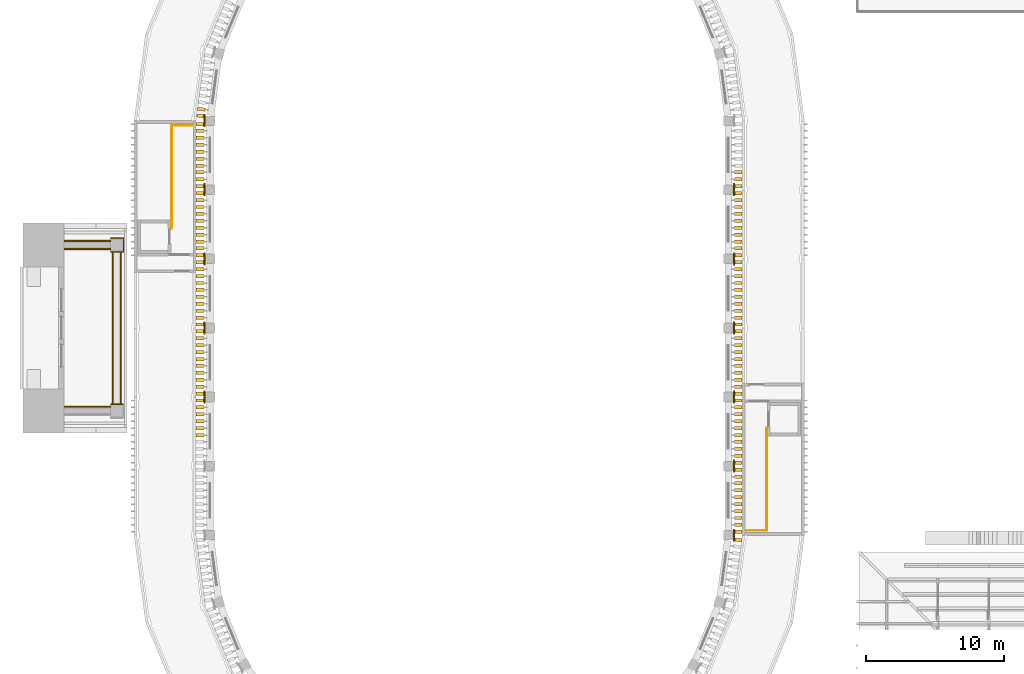
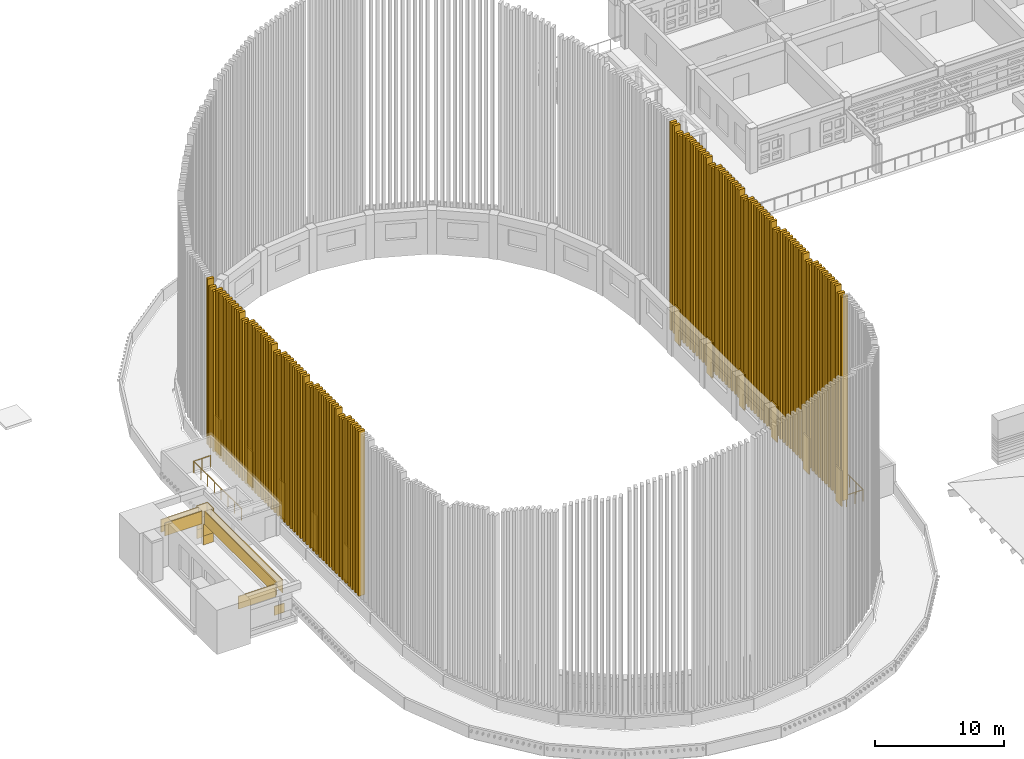
# One storey, part 54 of 68: 123 coverings, 4 railings.
"""IFC4 building model written with IfcOpenShell, lengths in metres."""

from ifc_helpers import new_model, si_unit, direction, frame, origin, origin_2d, place, context, subcontext, project, spatial, polyline, rectangle, circle, outline, extrude, material, layer, layer_set, type_object, element, save


model = new_model("IFC4")

# Units and contexts
model_context = context("Model", 3, precision=1e-05, world=origin(), true_north=direction((0.0, 1.0)))
body_context = subcontext(model_context, "Body", "Model", "MODEL_VIEW")
ifc_project = project(units=[si_unit("LENGTHUNIT", "METRE"), si_unit("AREAUNIT", "SQUARE_METRE"), si_unit("VOLUMEUNIT", "CUBIC_METRE"), si_unit("PLANEANGLEUNIT", "RADIAN"), si_unit("MASSUNIT", "GRAM", prefix="KILO")], contexts=[model_context])

# Site, building, storey
site_placement = place(None, origin())
site = spatial("IfcSite", under=ifc_project, at=site_placement, CompositionType="ELEMENT")
building_placement = place(site_placement, origin())
building = spatial("IfcBuilding", under=site, at=building_placement, Name="Wasatch Bagh Community Centre", CompositionType="ELEMENT")
storey_placement = place(building_placement, frame((0.0, 0.0, 8.39990234375)))
storey = spatial("IfcBuildingStorey", under=building, at=storey_placement, Name="L02", CompositionType="ELEMENT", Elevation=8.39990234375)

# Coverings
ifc_material_1 = material(Name="Cast stone cladding", Category="masonry")
ifc_layer_1 = layer(ifc_material_1, 0.080078125)
ifc_layer_set_1 = layer_set([ifc_layer_1], Name="Cast stone cladding")
covering_type_1 = type_object("IfcCoveringType", Name="CL-B7 beam facing", PredefinedType="CLADDING", material=ifc_layer_set_1)
covering_1_placement = place(storey_placement, frame((0.0, 0.0, 2.150146484375)))
element("IfcCovering", 1, at=covering_1_placement, inside=storey, type_object=covering_type_1, Name="Beam facing", PredefinedType="CLADDING", context=body_context, shape_type="SweptSolid", body=[
    extrude(outline(polyline([(6.699951171875, 44.25), (10.050048828125, 44.25), (10.050048828125, 44.330078125), (6.699951171875, 44.330078125), (6.699951171875, 44.25)])), origin(), (0.0, 0.0, 1.0), 1.199951171875),
])
covering_2_placement = place(storey_placement, frame((0.0, 0.0, 2.150146484375)))
element("IfcCovering", 2, at=covering_2_placement, inside=storey, type_object=covering_type_1, Name="Beam facing", PredefinedType="CLADDING", context=body_context, shape_type="SweptSolid", body=[
    extrude(outline(polyline([(6.699951171875, 56.25), (10.050048828125, 56.25), (10.050048828125, 56.330078125), (6.699951171875, 56.330078125), (6.699951171875, 56.25)])), origin(), (0.0, 0.0, 1.0), 1.199951171875),
])
covering_3_placement = place(storey_placement, frame((0.0, 0.0, 2.150146484375)))
element("IfcCovering", 3, at=covering_3_placement, inside=storey, type_object=covering_type_1, Name="Beam facing", PredefinedType="CLADDING", context=body_context, shape_type="SweptSolid", body=[
    extrude(outline(polyline([(6.699951171875, 55.75), (10.050048828125, 55.75), (10.050048828125, 55.669921875), (6.699951171875, 55.669921875), (6.699951171875, 55.75)])), origin(), (0.0, 0.0, 1.0), 1.199951171875),
])
covering_4_placement = place(storey_placement, frame((0.0, 0.0, 2.150146484375)))
element("IfcCovering", 4, at=covering_4_placement, inside=storey, type_object=covering_type_1, Name="Beam facing", PredefinedType="CLADDING", context=body_context, shape_type="SweptSolid", body=[
    extrude(outline(polyline([(10.25, 44.449951171875), (10.25, 55.550048828125), (10.169921875, 55.550048828125), (10.169921875, 44.449951171875), (10.25, 44.449951171875)])), origin(), (0.0, 0.0, 1.0), 1.199951171875),
])
covering_5_placement = place(storey_placement, frame((0.0, 0.0, 2.150146484375)))
element("IfcCovering", 5, at=covering_5_placement, inside=storey, type_object=covering_type_1, Name="Beam facing", PredefinedType="CLADDING", context=body_context, shape_type="SweptSolid", body=[
    extrude(outline(polyline([(10.75, 44.449951171875), (10.75, 55.550048828125), (10.830078125, 55.550048828125), (10.830078125, 44.449951171875), (10.75, 44.449951171875)])), origin(), (0.0, 0.0, 1.0), 1.199951171875),
])
ifc_layer_2 = layer(ifc_material_1, 0.080078125)
ifc_layer_set_2 = layer_set([ifc_layer_2], Name="Cast stone cladding")
covering_type_2 = type_object("IfcCoveringType", Name="CL-C1 column facing", PredefinedType="CLADDING", material=ifc_layer_set_2)
covering_6_placement = place(storey_placement, frame((0.0, 0.0, 0.25)))
element("IfcCovering", 6, at=covering_6_placement, inside=storey, type_object=covering_type_2, Name="Column facing", PredefinedType="CLADDING", context=body_context, shape_type="SweptSolid", body=[
    extrude(outline(polyline([(10.050048828125, 44.449951171875), (10.050048828125, 44.530029296875), (10.949951171875, 44.530029296875), (10.949951171875, 44.449951171875), (10.050048828125, 44.449951171875)])), origin(), (0.0, 0.0, 1.0), 0.85009765625),
])
covering_7_placement = place(storey_placement, frame((0.0, 0.0, 0.25)))
element("IfcCovering", 7, at=covering_7_placement, inside=storey, type_object=covering_type_2, Name="Column facing", PredefinedType="CLADDING", context=body_context, shape_type="SweptSolid", body=[
    extrude(outline(polyline([(10.050048828125, 56.449951171875), (10.050048828125, 56.530029296875), (10.949951171875, 56.530029296875), (10.949951171875, 56.449951171875), (10.050048828125, 56.449951171875)])), origin(), (0.0, 0.0, 1.0), 0.85009765625),
])
covering_8_placement = place(storey_placement, frame((0.0, 0.0, 0.25)))
element("IfcCovering", 8, at=covering_8_placement, inside=storey, type_object=covering_type_2, Name="Column facing", PredefinedType="CLADDING", context=body_context, shape_type="SweptSolid", body=[
    extrude(outline(polyline([(10.949951171875, 55.550048828125), (10.949951171875, 55.469970703125), (10.050048828125, 55.469970703125), (10.050048828125, 55.550048828125), (10.949951171875, 55.550048828125)])), origin(), (0.0, 0.0, 1.0), 0.85009765625),
])
covering_9_placement = place(storey_placement, frame((0.0, 0.0, 1.10009765625)))
element("IfcCovering", 9, at=covering_9_placement, inside=storey, type_object=covering_type_2, Name="Column facing", PredefinedType="CLADDING", context=body_context, shape_type="SweptSolid", body=[
    extrude(outline(polyline([(11.030029296875, 55.469970703125), (10.050048828125, 55.469970703125), (10.050048828125, 55.550048828125), (10.949951171875, 55.550048828125), (10.949951171875, 56.449951171875), (10.050048828125, 56.449951171875), (10.050048828125, 56.530029296875), (11.030029296875, 56.530029296875), (11.030029296875, 55.469970703125)])), origin(), (0.0, 0.0, 1.0), 1.050048828125),
])
covering_10_placement = place(storey_placement, frame((0.0, 0.0, 2.150146484375)))
element("IfcCovering", 10, at=covering_10_placement, inside=storey, type_object=covering_type_2, Name="Column facing", PredefinedType="CLADDING", context=body_context, shape_type="SweptSolid", body=[
    extrude(outline(polyline([(10.949951171875, 56.449951171875), (10.050048828125, 56.449951171875), (10.050048828125, 56.530029296875), (11.030029296875, 56.530029296875), (11.030029296875, 55.550048828125), (10.949951171875, 55.550048828125), (10.949951171875, 56.449951171875)])), origin(), (0.0, 0.0, 1.0), 1.199951171875),
])

# Railings
ifc_material_2 = material(Name="ASTM A500 Grade C steel", Category="steel")
railing_type = type_object("IfcRailingType", Name="Drum guard 1100", PredefinedType="GUARDRAIL", material=ifc_material_2)
railing_1_placement = place(storey_placement, frame((57.52490234375, 35.39990234375, 0.0)))
element("IfcRailing", 11, at=railing_1_placement, inside=storey, type_object=railing_type, Name="Opening guard SE0", PredefinedType="GUARDRAIL", context=body_context, shape_type="SweptSolid", body=[
    extrude(circle(Radius=0.02392578125, at=origin_2d()), frame((0.0, 0.0, 1.076171875), z_axis=(0.0, 1.0, 0.0), x_axis=(-1.0, 0.0, 0.0)), (0.0, 0.0, 1.0), 7.360107421875),
    extrude(circle(Radius=0.02099609375, at=origin_2d()), origin(), (0.0, 0.0, 1.0), 1.052001953125),
    extrude(circle(Radius=0.02099609375, at=origin_2d()), frame((0.0, 1.051513671875, 0.0)), (0.0, 0.0, 1.0), 1.052001953125),
    extrude(circle(Radius=0.02099609375, at=origin_2d()), frame((0.0, 2.102783203125, 0.0)), (0.0, 0.0, 1.0), 1.052001953125),
    extrude(circle(Radius=0.02099609375, at=origin_2d()), frame((0.0, 3.154296875, 0.0)), (0.0, 0.0, 1.0), 1.052001953125),
    extrude(circle(Radius=0.02099609375, at=origin_2d()), frame((0.0, 4.205810546875, 0.0)), (0.0, 0.0, 1.0), 1.052001953125),
    extrude(circle(Radius=0.02099609375, at=origin_2d()), frame((0.0, 5.25732421875, 0.0)), (0.0, 0.0, 1.0), 1.052001953125),
    extrude(circle(Radius=0.02099609375, at=origin_2d()), frame((0.0, 6.30859375, 0.0)), (0.0, 0.0, 1.0), 1.052001953125),
    extrude(circle(Radius=0.02099609375, at=origin_2d()), frame((0.0, 7.360107421875, 0.0)), (0.0, 0.0, 1.0), 1.052001953125),
])
railing_2_placement = place(storey_placement, frame((56.02490234375, 35.35009765625, 0.0)))
element("IfcRailing", 12, at=railing_2_placement, inside=storey, type_object=railing_type, Name="Opening guard SE0 end", PredefinedType="GUARDRAIL", context=body_context, shape_type="SweptSolid", body=[
    extrude(circle(Radius=0.02392578125, at=origin_2d()), frame((0.0, 0.0, 1.076171875), z_axis=(1.0, 0.0, 0.0), x_axis=(0.0, 1.0, 0.0)), (0.0, 0.0, 1.0), 1.5),
    extrude(circle(Radius=0.02099609375, at=origin_2d()), origin(), (0.0, 0.0, 1.0), 1.052001953125),
    extrude(circle(Radius=0.02099609375, at=origin_2d()), frame((0.75, 0.0, 0.0)), (0.0, 0.0, 1.0), 1.052001953125),
    extrude(circle(Radius=0.02099609375, at=origin_2d()), frame((1.5, 0.0, 0.0)), (0.0, 0.0, 1.0), 1.052001953125),
])
railing_3_placement = place(storey_placement, frame((14.47509765625, 64.60009765625, 0.0)))
element("IfcRailing", 13, at=railing_3_placement, inside=storey, type_object=railing_type, Name="Opening guard NW0", PredefinedType="GUARDRAIL", context=body_context, shape_type="SweptSolid", body=[
    extrude(circle(Radius=0.02392578125, at=origin_2d()), frame((0.0, 0.0, 1.076171875), z_axis=(0.0, -1.0, 0.0), x_axis=(1.0, 0.0, 0.0)), (0.0, 0.0, 1.0), 7.360107421875),
    extrude(circle(Radius=0.02099609375, at=origin_2d()), origin(), (0.0, 0.0, 1.0), 1.052001953125),
    extrude(circle(Radius=0.02099609375, at=origin_2d()), frame((0.0, -1.051513671875, 0.0)), (0.0, 0.0, 1.0), 1.052001953125),
    extrude(circle(Radius=0.02099609375, at=origin_2d()), frame((0.0, -2.102783203125, 0.0)), (0.0, 0.0, 1.0), 1.052001953125),
    extrude(circle(Radius=0.02099609375, at=origin_2d()), frame((0.0, -3.154296875, 0.0)), (0.0, 0.0, 1.0), 1.052001953125),
    extrude(circle(Radius=0.02099609375, at=origin_2d()), frame((0.0, -4.205810546875, 0.0)), (0.0, 0.0, 1.0), 1.052001953125),
    extrude(circle(Radius=0.02099609375, at=origin_2d()), frame((0.0, -5.25732421875, 0.0)), (0.0, 0.0, 1.0), 1.052001953125),
    extrude(circle(Radius=0.02099609375, at=origin_2d()), frame((0.0, -6.30859375, 0.0)), (0.0, 0.0, 1.0), 1.052001953125),
    extrude(circle(Radius=0.02099609375, at=origin_2d()), frame((0.0, -7.360107421875, 0.0)), (0.0, 0.0, 1.0), 1.052001953125),
])
railing_4_placement = place(storey_placement, frame((15.97509765625, 64.64990234375, 0.0)))
element("IfcRailing", 14, at=railing_4_placement, inside=storey, type_object=railing_type, Name="Opening guard NW0 end", PredefinedType="GUARDRAIL", context=body_context, shape_type="SweptSolid", body=[
    extrude(circle(Radius=0.02392578125, at=origin_2d()), frame((0.0, 0.0, 1.076171875), z_axis=(-1.0, 0.0, 0.0), x_axis=(0.0, -1.0, 0.0)), (0.0, 0.0, 1.0), 1.5),
    extrude(circle(Radius=0.02099609375, at=origin_2d()), origin(), (0.0, 0.0, 1.0), 1.052001953125),
    extrude(circle(Radius=0.02099609375, at=origin_2d()), frame((-0.75, 0.0, 0.0)), (0.0, 0.0, 1.0), 1.052001953125),
    extrude(circle(Radius=0.02099609375, at=origin_2d()), frame((-1.5, 0.0, 0.0)), (0.0, 0.0, 1.0), 1.052001953125),
])

# Coverings
ifc_material_3 = material(Name="White precast concrete C40/50", Category="concrete")
ifc_layer_3 = layer(ifc_material_3, 0.10009765625)
ifc_layer_set_3 = layer_set([ifc_layer_3], Name="White precast concrete C40/50")
covering_type_3 = type_object("IfcCoveringType", Name="MH column casing", PredefinedType="CLADDING", material=ifc_layer_set_3)
for number, where, z_axis, x_axis, name in (
    (15, (16.85009765625, 45.0, 0.800048828125), (0.0, 0.0, 1.0), (0.0, -1.0, 0.0), "Column casing W3 L02"),
    (16, (16.85009765625, 50.0, 0.800048828125), (0.0, 0.0, 1.0), (0.0, -1.0, 0.0), "Column casing W4 L02"),
    (17, (16.85009765625, 55.0, 0.800048828125), (0.0, 0.0, 1.0), (0.0, -1.0, 0.0), "Column casing W5 L02"),
    (18, (16.85009765625, 60.0, 0.800048828125), (0.0, 0.0, 1.0), (0.0, -1.0, 0.0), "Column casing W6 L02"),
    (19, (16.85009765625, 65.0, 0.800048828125), (0.0, 0.0, 1.0), (0.0, -1.0, 0.0), "Column casing W7 L02"),
    (20, (55.14990234375, 35.0, 0.800048828125), (0.0, 0.0, 1.0), (0.0, 1.0, 0.0), "Column casing E1 L02"),
    (21, (55.14990234375, 40.0, 0.800048828125), (0.0, 0.0, 1.0), (0.0, 1.0, 0.0), "Column casing E2 L02"),
    (22, (55.14990234375, 45.0, 0.800048828125), (0.0, 0.0, 1.0), (0.0, 1.0, 0.0), "Column casing E3 L02"),
    (23, (55.14990234375, 50.0, 0.800048828125), (0.0, 0.0, 1.0), (0.0, 1.0, 0.0), "Column casing E4 L02"),
    (24, (55.14990234375, 55.0, 0.800048828125), (0.0, 0.0, 1.0), (0.0, 1.0, 0.0), "Column casing E5 L02"),
    (25, (55.14990234375, 60.0, 0.800048828125), (0.0, 0.0, 1.0), (0.0, 1.0, 0.0), "Column casing E6 L02"),
):
    element("IfcCovering", number, at=place(storey_placement, frame(where, z_axis=z_axis, x_axis=x_axis)), inside=storey, type_object=covering_type_3, Name=name, PredefinedType="CLADDING", context=body_context, shape_type="SweptSolid", body=[
        extrude(rectangle(XDim=0.89990234375, YDim=0.10009765625, at=origin_2d()), origin(), (0.0, 0.0, 1.0), 3.39990234375),
    ])
ifc_layer_4 = layer(ifc_material_3, 0.25)
ifc_layer_set_4 = layer_set([ifc_layer_4], Name="White precast concrete C40/50")
covering_type_4 = type_object("IfcCoveringType", Name="MH vertical fin", PredefinedType="CLADDING", material=ifc_layer_set_4)
covering_11_placement = place(storey_placement, frame((55.436767578125, 34.662841796875, 1.30029296875), z_axis=(0.0, 0.0, 1.0), x_axis=(0.13052619222, 0.991444861374, 0.0)))
element("IfcCovering", 26, at=covering_11_placement, inside=storey, type_object=covering_type_4, Name="Fin 12.10", PredefinedType="CLADDING", context=body_context, shape_type="SweptSolid", body=[
    extrude(rectangle(XDim=0.25, YDim=0.550048828125, at=origin_2d()), origin(), (0.0, 0.0, 1.0), 19.296630859375),
])
covering_12_placement = place(storey_placement, frame((55.47509765625, 35.25, 1.30029296875), z_axis=(0.0, 0.0, 1.0), x_axis=(0.0, 1.0, 0.0)))
element("IfcCovering", 27, at=covering_12_placement, inside=storey, type_object=covering_type_4, Name="Fin 13.1", PredefinedType="CLADDING", context=body_context, shape_type="SweptSolid", body=[
    extrude(rectangle(XDim=0.25, YDim=0.550048828125, at=origin_2d()), origin(), (0.0, 0.0, 1.0), 19.274658203125),
])
for number, where, z_axis, x_axis, name in (
    (28, (55.47509765625, 35.75, 1.2998046875), (0.0, 0.0, 1.0), (0.0, 1.0, 0.0), "Fin 13.2"),
    (29, (55.47509765625, 36.25, 1.2998046875), (0.0, 0.0, 1.0), (0.0, 1.0, 0.0), "Fin 13.3"),
    (30, (55.47509765625, 36.75, 1.2998046875), (0.0, 0.0, 1.0), (0.0, 1.0, 0.0), "Fin 13.4"),
    (31, (55.47509765625, 37.25, 1.2998046875), (0.0, 0.0, 1.0), (0.0, 1.0, 0.0), "Fin 13.5"),
    (32, (55.47509765625, 37.75, 1.2998046875), (0.0, 0.0, 1.0), (0.0, 1.0, 0.0), "Fin 13.6"),
    (33, (55.47509765625, 38.25, 1.2998046875), (0.0, 0.0, 1.0), (0.0, 1.0, 0.0), "Fin 13.7"),
    (34, (55.47509765625, 38.75, 1.2998046875), (0.0, 0.0, 1.0), (0.0, 1.0, 0.0), "Fin 13.8"),
    (35, (55.47509765625, 39.25, 1.2998046875), (0.0, 0.0, 1.0), (0.0, 1.0, 0.0), "Fin 13.9"),
):
    element("IfcCovering", number, at=place(storey_placement, frame(where, z_axis=z_axis, x_axis=x_axis)), inside=storey, type_object=covering_type_4, Name=name, PredefinedType="CLADDING", context=body_context, shape_type="SweptSolid", body=[
        extrude(rectangle(XDim=0.25, YDim=0.550048828125, at=origin_2d()), origin(), (0.0, 0.0, 1.0), 19.693115234375),
    ])
for number, where, z_axis, x_axis, name in (
    (36, (55.47509765625, 39.75, 1.30029296875), (0.0, 0.0, 1.0), (0.0, 1.0, 0.0), "Fin 13.10"),
    (37, (55.47509765625, 40.25, 1.30029296875), (0.0, 0.0, 1.0), (0.0, 1.0, 0.0), "Fin 14.1"),
):
    element("IfcCovering", number, at=place(storey_placement, frame(where, z_axis=z_axis, x_axis=x_axis)), inside=storey, type_object=covering_type_4, Name=name, PredefinedType="CLADDING", context=body_context, shape_type="SweptSolid", body=[
        extrude(rectangle(XDim=0.25, YDim=0.550048828125, at=origin_2d()), origin(), (0.0, 0.0, 1.0), 19.274658203125),
    ])
for number, where, z_axis, x_axis, name in (
    (38, (55.47509765625, 40.75, 1.2998046875), (0.0, 0.0, 1.0), (0.0, 1.0, 0.0), "Fin 14.2"),
    (39, (55.47509765625, 41.25, 1.2998046875), (0.0, 0.0, 1.0), (0.0, 1.0, 0.0), "Fin 14.3"),
    (40, (55.47509765625, 41.75, 1.2998046875), (0.0, 0.0, 1.0), (0.0, 1.0, 0.0), "Fin 14.4"),
    (41, (55.47509765625, 42.25, 1.2998046875), (0.0, 0.0, 1.0), (0.0, 1.0, 0.0), "Fin 14.5"),
    (42, (55.47509765625, 42.75, 1.2998046875), (0.0, 0.0, 1.0), (0.0, 1.0, 0.0), "Fin 14.6"),
    (43, (55.47509765625, 43.25, 1.2998046875), (0.0, 0.0, 1.0), (0.0, 1.0, 0.0), "Fin 14.7"),
    (44, (55.47509765625, 43.75, 1.2998046875), (0.0, 0.0, 1.0), (0.0, 1.0, 0.0), "Fin 14.8"),
    (45, (55.47509765625, 44.25, 1.2998046875), (0.0, 0.0, 1.0), (0.0, 1.0, 0.0), "Fin 14.9"),
):
    element("IfcCovering", number, at=place(storey_placement, frame(where, z_axis=z_axis, x_axis=x_axis)), inside=storey, type_object=covering_type_4, Name=name, PredefinedType="CLADDING", context=body_context, shape_type="SweptSolid", body=[
        extrude(rectangle(XDim=0.25, YDim=0.550048828125, at=origin_2d()), origin(), (0.0, 0.0, 1.0), 19.693115234375),
    ])
for number, where, z_axis, x_axis, name in (
    (46, (55.47509765625, 44.75, 1.30029296875), (0.0, 0.0, 1.0), (0.0, 1.0, 0.0), "Fin 14.10"),
    (47, (55.47509765625, 45.25, 1.30029296875), (0.0, 0.0, 1.0), (0.0, 1.0, 0.0), "Fin 15.1"),
):
    element("IfcCovering", number, at=place(storey_placement, frame(where, z_axis=z_axis, x_axis=x_axis)), inside=storey, type_object=covering_type_4, Name=name, PredefinedType="CLADDING", context=body_context, shape_type="SweptSolid", body=[
        extrude(rectangle(XDim=0.25, YDim=0.550048828125, at=origin_2d()), origin(), (0.0, 0.0, 1.0), 19.274658203125),
    ])
for number, where, z_axis, x_axis, name in (
    (48, (55.47509765625, 45.75, 1.2998046875), (0.0, 0.0, 1.0), (0.0, 1.0, 0.0), "Fin 15.2"),
    (49, (55.47509765625, 46.25, 1.2998046875), (0.0, 0.0, 1.0), (0.0, 1.0, 0.0), "Fin 15.3"),
    (50, (55.47509765625, 46.75, 1.2998046875), (0.0, 0.0, 1.0), (0.0, 1.0, 0.0), "Fin 15.4"),
    (51, (55.47509765625, 47.25, 1.2998046875), (0.0, 0.0, 1.0), (0.0, 1.0, 0.0), "Fin 15.5"),
    (52, (55.47509765625, 47.75, 1.2998046875), (0.0, 0.0, 1.0), (0.0, 1.0, 0.0), "Fin 15.6"),
    (53, (55.47509765625, 48.25, 1.2998046875), (0.0, 0.0, 1.0), (0.0, 1.0, 0.0), "Fin 15.7"),
    (54, (55.47509765625, 48.75, 1.2998046875), (0.0, 0.0, 1.0), (0.0, 1.0, 0.0), "Fin 15.8"),
    (55, (55.47509765625, 49.25, 1.2998046875), (0.0, 0.0, 1.0), (0.0, 1.0, 0.0), "Fin 15.9"),
):
    element("IfcCovering", number, at=place(storey_placement, frame(where, z_axis=z_axis, x_axis=x_axis)), inside=storey, type_object=covering_type_4, Name=name, PredefinedType="CLADDING", context=body_context, shape_type="SweptSolid", body=[
        extrude(rectangle(XDim=0.25, YDim=0.550048828125, at=origin_2d()), origin(), (0.0, 0.0, 1.0), 19.693115234375),
    ])
for number, where, z_axis, x_axis, name in (
    (56, (55.47509765625, 49.75, 1.30029296875), (0.0, 0.0, 1.0), (0.0, 1.0, 0.0), "Fin 15.10"),
    (57, (55.47509765625, 50.25, 1.30029296875), (0.0, 0.0, 1.0), (0.0, 1.0, 0.0), "Fin 16.1"),
):
    element("IfcCovering", number, at=place(storey_placement, frame(where, z_axis=z_axis, x_axis=x_axis)), inside=storey, type_object=covering_type_4, Name=name, PredefinedType="CLADDING", context=body_context, shape_type="SweptSolid", body=[
        extrude(rectangle(XDim=0.25, YDim=0.550048828125, at=origin_2d()), origin(), (0.0, 0.0, 1.0), 19.274658203125),
    ])
for number, where, z_axis, x_axis, name in (
    (58, (55.47509765625, 50.75, 1.2998046875), (0.0, 0.0, 1.0), (0.0, 1.0, 0.0), "Fin 16.2"),
    (59, (55.47509765625, 51.25, 1.2998046875), (0.0, 0.0, 1.0), (0.0, 1.0, 0.0), "Fin 16.3"),
    (60, (55.47509765625, 51.75, 1.2998046875), (0.0, 0.0, 1.0), (0.0, 1.0, 0.0), "Fin 16.4"),
    (61, (55.47509765625, 52.25, 1.2998046875), (0.0, 0.0, 1.0), (0.0, 1.0, 0.0), "Fin 16.5"),
    (62, (55.47509765625, 52.75, 1.2998046875), (0.0, 0.0, 1.0), (0.0, 1.0, 0.0), "Fin 16.6"),
    (63, (55.47509765625, 53.25, 1.2998046875), (0.0, 0.0, 1.0), (0.0, 1.0, 0.0), "Fin 16.7"),
    (64, (55.47509765625, 53.75, 1.2998046875), (0.0, 0.0, 1.0), (0.0, 1.0, 0.0), "Fin 16.8"),
    (65, (55.47509765625, 54.25, 1.2998046875), (0.0, 0.0, 1.0), (0.0, 1.0, 0.0), "Fin 16.9"),
):
    element("IfcCovering", number, at=place(storey_placement, frame(where, z_axis=z_axis, x_axis=x_axis)), inside=storey, type_object=covering_type_4, Name=name, PredefinedType="CLADDING", context=body_context, shape_type="SweptSolid", body=[
        extrude(rectangle(XDim=0.25, YDim=0.550048828125, at=origin_2d()), origin(), (0.0, 0.0, 1.0), 19.693115234375),
    ])
for number, where, z_axis, x_axis, name in (
    (66, (55.47509765625, 54.75, 1.30029296875), (0.0, 0.0, 1.0), (0.0, 1.0, 0.0), "Fin 16.10"),
    (67, (55.47509765625, 55.25, 1.30029296875), (0.0, 0.0, 1.0), (0.0, 1.0, 0.0), "Fin 17.1"),
):
    element("IfcCovering", number, at=place(storey_placement, frame(where, z_axis=z_axis, x_axis=x_axis)), inside=storey, type_object=covering_type_4, Name=name, PredefinedType="CLADDING", context=body_context, shape_type="SweptSolid", body=[
        extrude(rectangle(XDim=0.25, YDim=0.550048828125, at=origin_2d()), origin(), (0.0, 0.0, 1.0), 19.274658203125),
    ])
for number, where, z_axis, x_axis, name in (
    (68, (55.47509765625, 55.75, 1.2998046875), (0.0, 0.0, 1.0), (0.0, 1.0, 0.0), "Fin 17.2"),
    (69, (55.47509765625, 56.25, 1.2998046875), (0.0, 0.0, 1.0), (0.0, 1.0, 0.0), "Fin 17.3"),
    (70, (55.47509765625, 56.75, 1.2998046875), (0.0, 0.0, 1.0), (0.0, 1.0, 0.0), "Fin 17.4"),
    (71, (55.47509765625, 57.25, 1.2998046875), (0.0, 0.0, 1.0), (0.0, 1.0, 0.0), "Fin 17.5"),
    (72, (55.47509765625, 57.75, 1.2998046875), (0.0, 0.0, 1.0), (0.0, 1.0, 0.0), "Fin 17.6"),
    (73, (55.47509765625, 58.25, 1.2998046875), (0.0, 0.0, 1.0), (0.0, 1.0, 0.0), "Fin 17.7"),
    (74, (55.47509765625, 58.75, 1.2998046875), (0.0, 0.0, 1.0), (0.0, 1.0, 0.0), "Fin 17.8"),
    (75, (55.47509765625, 59.25, 1.2998046875), (0.0, 0.0, 1.0), (0.0, 1.0, 0.0), "Fin 17.9"),
):
    element("IfcCovering", number, at=place(storey_placement, frame(where, z_axis=z_axis, x_axis=x_axis)), inside=storey, type_object=covering_type_4, Name=name, PredefinedType="CLADDING", context=body_context, shape_type="SweptSolid", body=[
        extrude(rectangle(XDim=0.25, YDim=0.550048828125, at=origin_2d()), origin(), (0.0, 0.0, 1.0), 19.693115234375),
    ])
for number, where, z_axis, x_axis, name in (
    (76, (55.47509765625, 59.75, 1.30029296875), (0.0, 0.0, 1.0), (0.0, 1.0, 0.0), "Fin 17.10"),
    (77, (55.47509765625, 60.25, 1.30029296875), (0.0, 0.0, 1.0), (0.0, 1.0, 0.0), "Fin 18.1"),
):
    element("IfcCovering", number, at=place(storey_placement, frame(where, z_axis=z_axis, x_axis=x_axis)), inside=storey, type_object=covering_type_4, Name=name, PredefinedType="CLADDING", context=body_context, shape_type="SweptSolid", body=[
        extrude(rectangle(XDim=0.25, YDim=0.550048828125, at=origin_2d()), origin(), (0.0, 0.0, 1.0), 19.274658203125),
    ])
for number, where, z_axis, x_axis, name in (
    (78, (55.47509765625, 60.75, 1.2998046875), (0.0, 0.0, 1.0), (0.0, 1.0, 0.0), "Fin 18.2"),
    (79, (55.47509765625, 61.25, 1.2998046875), (0.0, 0.0, 1.0), (0.0, 1.0, 0.0), "Fin 18.3"),
):
    element("IfcCovering", number, at=place(storey_placement, frame(where, z_axis=z_axis, x_axis=x_axis)), inside=storey, type_object=covering_type_4, Name=name, PredefinedType="CLADDING", context=body_context, shape_type="SweptSolid", body=[
        extrude(rectangle(XDim=0.25, YDim=0.550048828125, at=origin_2d()), origin(), (0.0, 0.0, 1.0), 19.693115234375),
    ])
covering_13_placement = place(storey_placement, frame((16.626953125, 65.822509765625, 1.300048828125), z_axis=(0.0, 0.0, 1.0), x_axis=(-0.13052619222, -0.991444861374, 0.0)))
element("IfcCovering", 80, at=covering_13_placement, inside=storey, type_object=covering_type_4, Name="Fin 30.9", PredefinedType="CLADDING", context=body_context, shape_type="SweptSolid", body=[
    extrude(rectangle(XDim=0.25, YDim=0.550048828125, at=origin_2d()), origin(), (0.0, 0.0, 1.0), 15.701171875),
])
covering_14_placement = place(storey_placement, frame((16.563232421875, 65.337158203125, 1.300048828125), z_axis=(0.0, 0.0, 1.0), x_axis=(-0.13052619222, -0.991444861374, 0.0)))
element("IfcCovering", 81, at=covering_14_placement, inside=storey, type_object=covering_type_4, Name="Fin 30.10", PredefinedType="CLADDING", context=body_context, shape_type="SweptSolid", body=[
    extrude(rectangle(XDim=0.25, YDim=0.550048828125, at=origin_2d()), origin(), (0.0, 0.0, 1.0), 15.23974609375),
])
covering_15_placement = place(storey_placement, frame((16.52490234375, 64.75, 1.300048828125), z_axis=(0.0, 0.0, 1.0), x_axis=(0.0, -1.0, 0.0)))
element("IfcCovering", 82, at=covering_15_placement, inside=storey, type_object=covering_type_4, Name="Fin 31.1", PredefinedType="CLADDING", context=body_context, shape_type="SweptSolid", body=[
    extrude(rectangle(XDim=0.25, YDim=0.550048828125, at=origin_2d()), origin(), (0.0, 0.0, 1.0), 15.2138671875),
])
for number, where, z_axis, x_axis, name in (
    (83, (16.52490234375, 64.25, 1.30029296875), (0.0, 0.0, 1.0), (0.0, -1.0, 0.0), "Fin 31.2"),
    (84, (16.52490234375, 63.75, 1.30029296875), (0.0, 0.0, 1.0), (0.0, -1.0, 0.0), "Fin 31.3"),
    (85, (16.52490234375, 63.25, 1.30029296875), (0.0, 0.0, 1.0), (0.0, -1.0, 0.0), "Fin 31.4"),
    (86, (16.52490234375, 62.75, 1.30029296875), (0.0, 0.0, 1.0), (0.0, -1.0, 0.0), "Fin 31.5"),
    (87, (16.52490234375, 62.25, 1.30029296875), (0.0, 0.0, 1.0), (0.0, -1.0, 0.0), "Fin 31.6"),
    (88, (16.52490234375, 61.75, 1.30029296875), (0.0, 0.0, 1.0), (0.0, -1.0, 0.0), "Fin 31.7"),
    (89, (16.52490234375, 61.25, 1.30029296875), (0.0, 0.0, 1.0), (0.0, -1.0, 0.0), "Fin 31.8"),
    (90, (16.52490234375, 60.75, 1.30029296875), (0.0, 0.0, 1.0), (0.0, -1.0, 0.0), "Fin 31.9"),
):
    element("IfcCovering", number, at=place(storey_placement, frame(where, z_axis=z_axis, x_axis=x_axis)), inside=storey, type_object=covering_type_4, Name=name, PredefinedType="CLADDING", context=body_context, shape_type="SweptSolid", body=[
        extrude(rectangle(XDim=0.25, YDim=0.550048828125, at=origin_2d()), origin(), (0.0, 0.0, 1.0), 15.632080078125),
    ])
for number, where, z_axis, x_axis, name in (
    (91, (16.52490234375, 60.25, 1.300048828125), (0.0, 0.0, 1.0), (0.0, -1.0, 0.0), "Fin 31.10"),
    (92, (16.52490234375, 59.75, 1.300048828125), (0.0, 0.0, 1.0), (0.0, -1.0, 0.0), "Fin 32.1"),
):
    element("IfcCovering", number, at=place(storey_placement, frame(where, z_axis=z_axis, x_axis=x_axis)), inside=storey, type_object=covering_type_4, Name=name, PredefinedType="CLADDING", context=body_context, shape_type="SweptSolid", body=[
        extrude(rectangle(XDim=0.25, YDim=0.550048828125, at=origin_2d()), origin(), (0.0, 0.0, 1.0), 15.2138671875),
    ])
for number, where, z_axis, x_axis, name in (
    (93, (16.52490234375, 59.25, 1.30029296875), (0.0, 0.0, 1.0), (0.0, -1.0, 0.0), "Fin 32.2"),
    (94, (16.52490234375, 58.75, 1.30029296875), (0.0, 0.0, 1.0), (0.0, -1.0, 0.0), "Fin 32.3"),
    (95, (16.52490234375, 58.25, 1.30029296875), (0.0, 0.0, 1.0), (0.0, -1.0, 0.0), "Fin 32.4"),
    (96, (16.52490234375, 57.75, 1.30029296875), (0.0, 0.0, 1.0), (0.0, -1.0, 0.0), "Fin 32.5"),
    (97, (16.52490234375, 57.25, 1.30029296875), (0.0, 0.0, 1.0), (0.0, -1.0, 0.0), "Fin 32.6"),
    (98, (16.52490234375, 56.75, 1.30029296875), (0.0, 0.0, 1.0), (0.0, -1.0, 0.0), "Fin 32.7"),
    (99, (16.52490234375, 56.25, 1.30029296875), (0.0, 0.0, 1.0), (0.0, -1.0, 0.0), "Fin 32.8"),
    (100, (16.52490234375, 55.75, 1.30029296875), (0.0, 0.0, 1.0), (0.0, -1.0, 0.0), "Fin 32.9"),
):
    element("IfcCovering", number, at=place(storey_placement, frame(where, z_axis=z_axis, x_axis=x_axis)), inside=storey, type_object=covering_type_4, Name=name, PredefinedType="CLADDING", context=body_context, shape_type="SweptSolid", body=[
        extrude(rectangle(XDim=0.25, YDim=0.550048828125, at=origin_2d()), origin(), (0.0, 0.0, 1.0), 15.632080078125),
    ])
for number, where, z_axis, x_axis, name in (
    (101, (16.52490234375, 55.25, 1.300048828125), (0.0, 0.0, 1.0), (0.0, -1.0, 0.0), "Fin 32.10"),
    (102, (16.52490234375, 54.75, 1.300048828125), (0.0, 0.0, 1.0), (0.0, -1.0, 0.0), "Fin 33.1"),
):
    element("IfcCovering", number, at=place(storey_placement, frame(where, z_axis=z_axis, x_axis=x_axis)), inside=storey, type_object=covering_type_4, Name=name, PredefinedType="CLADDING", context=body_context, shape_type="SweptSolid", body=[
        extrude(rectangle(XDim=0.25, YDim=0.550048828125, at=origin_2d()), origin(), (0.0, 0.0, 1.0), 15.2138671875),
    ])
for number, where, z_axis, x_axis, name in (
    (103, (16.52490234375, 54.25, 1.30029296875), (0.0, 0.0, 1.0), (0.0, -1.0, 0.0), "Fin 33.2"),
    (104, (16.52490234375, 53.75, 1.30029296875), (0.0, 0.0, 1.0), (0.0, -1.0, 0.0), "Fin 33.3"),
    (105, (16.52490234375, 53.25, 1.30029296875), (0.0, 0.0, 1.0), (0.0, -1.0, 0.0), "Fin 33.4"),
    (106, (16.52490234375, 52.75, 1.30029296875), (0.0, 0.0, 1.0), (0.0, -1.0, 0.0), "Fin 33.5"),
    (107, (16.52490234375, 52.25, 1.30029296875), (0.0, 0.0, 1.0), (0.0, -1.0, 0.0), "Fin 33.6"),
    (108, (16.52490234375, 51.75, 1.30029296875), (0.0, 0.0, 1.0), (0.0, -1.0, 0.0), "Fin 33.7"),
    (109, (16.52490234375, 51.25, 1.30029296875), (0.0, 0.0, 1.0), (0.0, -1.0, 0.0), "Fin 33.8"),
    (110, (16.52490234375, 50.75, 1.30029296875), (0.0, 0.0, 1.0), (0.0, -1.0, 0.0), "Fin 33.9"),
):
    element("IfcCovering", number, at=place(storey_placement, frame(where, z_axis=z_axis, x_axis=x_axis)), inside=storey, type_object=covering_type_4, Name=name, PredefinedType="CLADDING", context=body_context, shape_type="SweptSolid", body=[
        extrude(rectangle(XDim=0.25, YDim=0.550048828125, at=origin_2d()), origin(), (0.0, 0.0, 1.0), 15.632080078125),
    ])
for number, where, z_axis, x_axis, name in (
    (111, (16.52490234375, 50.25, 1.300048828125), (0.0, 0.0, 1.0), (0.0, -1.0, 0.0), "Fin 33.10"),
    (112, (16.52490234375, 49.75, 1.300048828125), (0.0, 0.0, 1.0), (0.0, -1.0, 0.0), "Fin 34.1"),
):
    element("IfcCovering", number, at=place(storey_placement, frame(where, z_axis=z_axis, x_axis=x_axis)), inside=storey, type_object=covering_type_4, Name=name, PredefinedType="CLADDING", context=body_context, shape_type="SweptSolid", body=[
        extrude(rectangle(XDim=0.25, YDim=0.550048828125, at=origin_2d()), origin(), (0.0, 0.0, 1.0), 15.2138671875),
    ])
for number, where, z_axis, x_axis, name in (
    (113, (16.52490234375, 49.25, 1.30029296875), (0.0, 0.0, 1.0), (0.0, -1.0, 0.0), "Fin 34.2"),
    (114, (16.52490234375, 48.75, 1.30029296875), (0.0, 0.0, 1.0), (0.0, -1.0, 0.0), "Fin 34.3"),
    (115, (16.52490234375, 48.25, 1.30029296875), (0.0, 0.0, 1.0), (0.0, -1.0, 0.0), "Fin 34.4"),
    (116, (16.52490234375, 47.75, 1.30029296875), (0.0, 0.0, 1.0), (0.0, -1.0, 0.0), "Fin 34.5"),
    (117, (16.52490234375, 47.25, 1.30029296875), (0.0, 0.0, 1.0), (0.0, -1.0, 0.0), "Fin 34.6"),
    (118, (16.52490234375, 46.75, 1.30029296875), (0.0, 0.0, 1.0), (0.0, -1.0, 0.0), "Fin 34.7"),
    (119, (16.52490234375, 46.25, 1.30029296875), (0.0, 0.0, 1.0), (0.0, -1.0, 0.0), "Fin 34.8"),
    (120, (16.52490234375, 45.75, 1.30029296875), (0.0, 0.0, 1.0), (0.0, -1.0, 0.0), "Fin 34.9"),
):
    element("IfcCovering", number, at=place(storey_placement, frame(where, z_axis=z_axis, x_axis=x_axis)), inside=storey, type_object=covering_type_4, Name=name, PredefinedType="CLADDING", context=body_context, shape_type="SweptSolid", body=[
        extrude(rectangle(XDim=0.25, YDim=0.550048828125, at=origin_2d()), origin(), (0.0, 0.0, 1.0), 15.632080078125),
    ])
for number, where, z_axis, x_axis, name in (
    (121, (16.52490234375, 45.25, 1.300048828125), (0.0, 0.0, 1.0), (0.0, -1.0, 0.0), "Fin 34.10"),
    (122, (16.52490234375, 44.75, 1.300048828125), (0.0, 0.0, 1.0), (0.0, -1.0, 0.0), "Fin 35.1"),
):
    element("IfcCovering", number, at=place(storey_placement, frame(where, z_axis=z_axis, x_axis=x_axis)), inside=storey, type_object=covering_type_4, Name=name, PredefinedType="CLADDING", context=body_context, shape_type="SweptSolid", body=[
        extrude(rectangle(XDim=0.25, YDim=0.550048828125, at=origin_2d()), origin(), (0.0, 0.0, 1.0), 15.2138671875),
    ])
for number, where, z_axis, x_axis, name in (
    (123, (16.52490234375, 44.25, 1.30029296875), (0.0, 0.0, 1.0), (0.0, -1.0, 0.0), "Fin 35.2"),
    (124, (16.52490234375, 43.75, 1.30029296875), (0.0, 0.0, 1.0), (0.0, -1.0, 0.0), "Fin 35.3"),
    (125, (16.52490234375, 43.25, 1.30029296875), (0.0, 0.0, 1.0), (0.0, -1.0, 0.0), "Fin 35.4"),
    (126, (16.52490234375, 42.75, 1.30029296875), (0.0, 0.0, 1.0), (0.0, -1.0, 0.0), "Fin 35.5"),
    (127, (16.52490234375, 42.25, 1.30029296875), (0.0, 0.0, 1.0), (0.0, -1.0, 0.0), "Fin 35.6"),
):
    element("IfcCovering", number, at=place(storey_placement, frame(where, z_axis=z_axis, x_axis=x_axis)), inside=storey, type_object=covering_type_4, Name=name, PredefinedType="CLADDING", context=body_context, shape_type="SweptSolid", body=[
        extrude(rectangle(XDim=0.25, YDim=0.550048828125, at=origin_2d()), origin(), (0.0, 0.0, 1.0), 15.632080078125),
    ])

save(model, "model.ifc")
